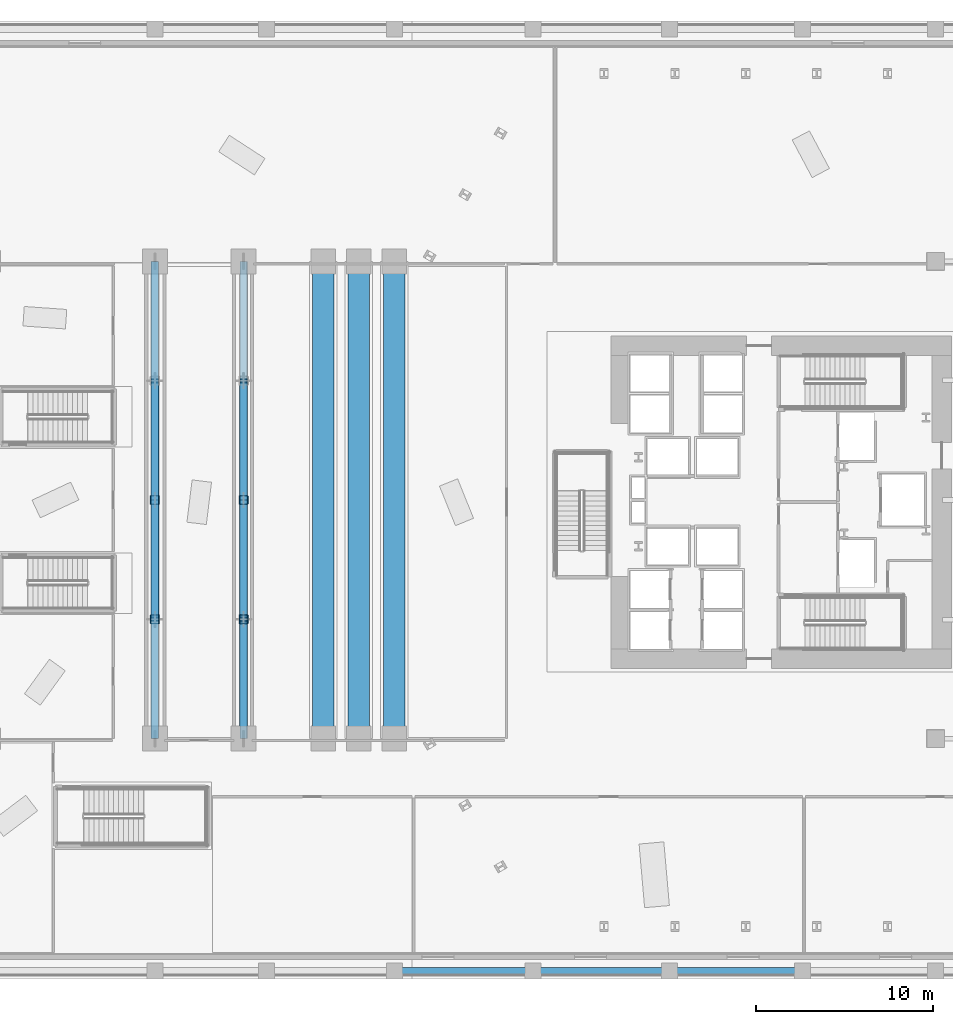
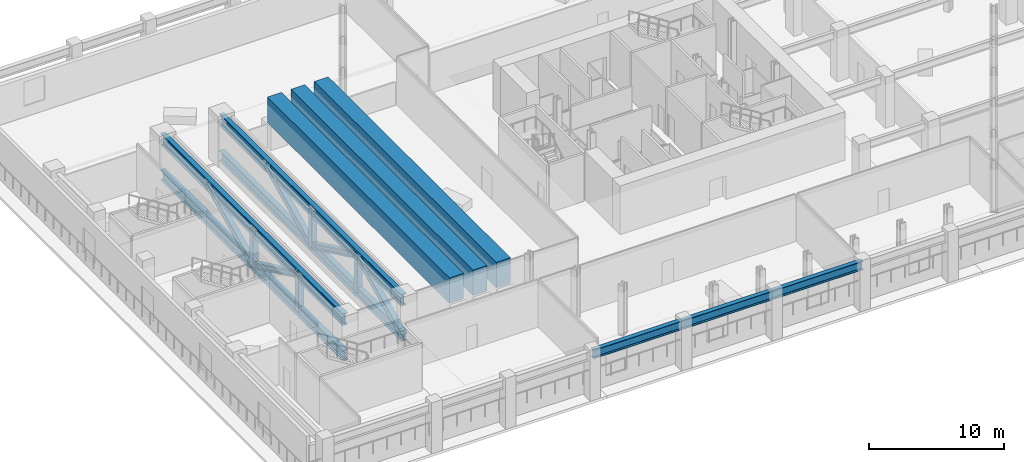
# One storey, part 2 of 24: 9 members, 8 beams.
"""IFC4 building model written with IfcOpenShell, lengths in metres."""

from ifc_helpers import new_model, si_unit, direction, frame, origin, origin_2d, place, context, subcontext, project, spatial, rectangle, hollow_rectangle, i_section, extrude, material, material_profile, profile_set, type_object, element, save


model = new_model("IFC4")

# Units and contexts
model_context = context("Model", 3, precision=1e-05, world=origin(), true_north=direction((0.0, 1.0)))
body_context = subcontext(model_context, "Body", "Model", "MODEL_VIEW")
ifc_project = project(units=[si_unit("LENGTHUNIT", "METRE"), si_unit("AREAUNIT", "SQUARE_METRE"), si_unit("VOLUMEUNIT", "CUBIC_METRE"), si_unit("PLANEANGLEUNIT", "RADIAN"), si_unit("MASSUNIT", "GRAM", prefix="KILO")], contexts=[model_context])

# Site, building, storey
site_placement = place(None, origin())
site = spatial("IfcSite", under=ifc_project, at=site_placement, CompositionType="ELEMENT")
building_placement = place(site_placement, origin())
building = spatial("IfcBuilding", under=site, at=building_placement, Name="Valkerne Bourse Tower", CompositionType="ELEMENT")
storey_placement = place(building_placement, frame((0.0, 0.0, 19.39990234375)))
storey = spatial("IfcBuildingStorey", under=building, at=storey_placement, Name="L04", CompositionType="ELEMENT", Elevation=19.39990234375)

# Beams
ifc_material_1 = material(Name="Concrete C70/85", Category="concrete")
ifc_material_profile_1 = material_profile(ifc_material_1, rectangle(XDim=1.199951171875, YDim=2.300048828125, at=origin_2d()), Name="RC1200X2300")
ifc_profile_set_1 = profile_set([ifc_material_profile_1], Name="Concrete C70/85")
beam_type_1 = type_object("IfcBeamType", Name="BM-RC1200X2300", PredefinedType="BEAM", material=ifc_profile_set_1)
for number, where, z_axis, x_axis, name in (
    (1, (20.991943359375, 13.550048828125, 3.22509765625), (0.0, 1.0, 0.0), (-1.0, 0.0, 0.0), "L04 Exchange Hall Deep Transfer Box Girder 01"),
    (2, (22.990966796875, 13.550048828125, 3.22509765625), (0.0, 1.0, 0.0), (-1.0, 0.0, 0.0), "L04 Exchange Hall Deep Transfer Box Girder 02"),
    (3, (24.988037109375, 13.550048828125, 3.22509765625), (0.0, 1.0, 0.0), (-1.0, 0.0, 0.0), "L04 Exchange Hall Deep Transfer Box Girder 03"),
):
    element("IfcBeam", number, at=place(storey_placement, frame(where, z_axis=z_axis, x_axis=x_axis)), inside=storey, type_object=beam_type_1, Name=name, PredefinedType="BEAM", context=body_context, shape_type="SweptSolid", body=[
        extrude(rectangle(XDim=1.199951171875, YDim=2.300048828125, at=origin_2d()), origin(), (0.0, 0.0, 1.0), 26.89990234375),
    ])
ifc_material_2 = material(Name="Steel ASTM A992", Category="steel")
ifc_material_profile_2 = material_profile(ifc_material_2, i_section(OverallWidth=0.383544921875, OverallDepth=0.784912109375, WebThickness=0.019775390625, FlangeThickness=0.033447265625, FilletRadius=0.025390625, at=origin_2d()), Name="W30X211")
ifc_profile_set_2 = profile_set([ifc_material_profile_2], Name="Steel ASTM A992")
beam_type_2 = type_object("IfcBeamType", Name="BM-W30X211", PredefinedType="SPANDREL", material=ifc_profile_set_2)
beam_placement = place(storey_placement, frame((25.0, 0.449951171875, 3.90771484375), z_axis=(1.0, 0.0, 0.0), x_axis=(0.0, 1.0, 0.0)))
element("IfcBeam", 4, at=beam_placement, inside=storey, type_object=beam_type_2, Name="L04 Podium Spandrel Girder S2", PredefinedType="SPANDREL", context=body_context, shape_type="SweptSolid", body=[
    extrude(i_section(OverallWidth=0.383544921875, OverallDepth=0.784912109375, WebThickness=0.019775390625, FlangeThickness=0.033447265625, FilletRadius=0.025390625, at=origin_2d()), origin(), (0.0, 0.0, 1.0), 23.0),
])
ifc_material_3 = material(Name="Steel ASTM A913 Grade 65", Category="steel")
ifc_material_profile_3 = material_profile(ifc_material_3, i_section(OverallWidth=0.421630859375, OverallDepth=0.93212890625, WebThickness=0.02587890625, FlangeThickness=0.047119140625, FilletRadius=0.02783203125, at=origin_2d()), Name="W36X330")
ifc_profile_set_3 = profile_set([ifc_material_profile_3], Name="Steel ASTM A913 Grade 65")
beam_type_3 = type_object("IfcBeamType", Name="BM-W36X330", PredefinedType="BEAM", material=ifc_profile_set_3)
for number, where, z_axis, x_axis, name in (
    (5, (11.5, 13.550048828125, 0.546142578125), (0.0, 1.0, 0.0), (-1.0, 0.0, 0.0), "L04 Hall Transfer Truss Continuous Bottom Chord X11"),
    (6, (16.5, 13.550048828125, 0.546142578125), (0.0, 1.0, 0.0), (-1.0, 0.0, 0.0), "L04 Hall Transfer Truss Continuous Bottom Chord X16"),
):
    element("IfcBeam", number, at=place(storey_placement, frame(where, z_axis=z_axis, x_axis=x_axis)), inside=storey, type_object=beam_type_3, Name=name, PredefinedType="BEAM", context=body_context, shape_type="SweptSolid", body=[
        extrude(i_section(OverallWidth=0.421630859375, OverallDepth=0.93212890625, WebThickness=0.02587890625, FlangeThickness=0.047119140625, FilletRadius=0.02783203125, at=origin_2d()), origin(), (0.0, 0.0, 1.0), 26.89990234375),
    ])
ifc_material_profile_4 = material_profile(ifc_material_3, i_section(OverallWidth=0.408935546875, OverallDepth=1.06689453125, WebThickness=0.031005859375, FlangeThickness=0.055908203125, FilletRadius=0.030517578125, at=origin_2d()), Name="W40X397")
ifc_profile_set_4 = profile_set([ifc_material_profile_4], Name="Steel ASTM A913 Grade 65")
beam_type_4 = type_object("IfcBeamType", Name="BM-W40X397", PredefinedType="BEAM", material=ifc_profile_set_4)
for number, where, z_axis, x_axis, name in (
    (7, (11.5, 13.550048828125, 3.7666015625), (0.0, 1.0, 0.0), (-1.0, 0.0, 0.0), "L04 Hall Transfer Truss Continuous Top Chord X11"),
    (8, (16.5, 13.550048828125, 3.7666015625), (0.0, 1.0, 0.0), (-1.0, 0.0, 0.0), "L04 Hall Transfer Truss Continuous Top Chord X16"),
):
    element("IfcBeam", number, at=place(storey_placement, frame(where, z_axis=z_axis, x_axis=x_axis)), inside=storey, type_object=beam_type_4, Name=name, PredefinedType="BEAM", context=body_context, shape_type="SweptSolid", body=[
        extrude(i_section(OverallWidth=0.408935546875, OverallDepth=1.06689453125, WebThickness=0.031005859375, FlangeThickness=0.055908203125, FilletRadius=0.030517578125, at=origin_2d()), origin(), (0.0, 0.0, 1.0), 26.89990234375),
    ])

# Members
ifc_material_4 = material(Name="Steel ASTM A500 Grade C", Category="steel")
ifc_material_profile_5 = material_profile(ifc_material_4, hollow_rectangle(XDim=0.5, YDim=0.5, WallThickness=0.02001953125, OuterFilletRadius=0.0400390625, at=origin_2d()), Name="HSS500X500X20")
ifc_profile_set_5 = profile_set([ifc_material_profile_5], Name="Steel ASTM A500 Grade C")
member_type_1 = type_object("IfcMemberType", Name="MBR-HSS500X500X20", PredefinedType="BRACE", material=ifc_profile_set_5)
for number, where, z_axis, x_axis, name in (
    (9, (11.5, 20.280029296875, 0.546142578125), (0.0, 0.0, 1.0), (1.0, 0.0, 0.0), "L04 Hall Transfer Truss Vertical X11-1"),
    (10, (11.5, 27.0, 0.546142578125), (0.0, 0.0, 1.0), (1.0, 0.0, 0.0), "L04 Hall Transfer Truss Vertical X11-2"),
    (11, (16.5, 20.280029296875, 0.546142578125), (0.0, 0.0, 1.0), (1.0, 0.0, 0.0), "L04 Hall Transfer Truss Vertical X16-1"),
    (12, (16.5, 27.0, 0.546142578125), (0.0, 0.0, 1.0), (1.0, 0.0, 0.0), "L04 Hall Transfer Truss Vertical X16-2"),
):
    element("IfcMember", number, at=place(storey_placement, frame(where, z_axis=z_axis, x_axis=x_axis)), inside=storey, type_object=member_type_1, Name=name, PredefinedType="BRACE", context=body_context, shape_type="SweptSolid", body=[
        extrude(hollow_rectangle(XDim=0.5, YDim=0.5, WallThickness=0.02001953125, OuterFilletRadius=0.0400390625, at=origin_2d()), origin(), (0.0, 0.0, 1.0), 3.220458984375),
    ])
ifc_material_profile_6 = material_profile(ifc_material_3, i_section(OverallWidth=0.44189453125, OverallDepth=0.531005859375, WebThickness=0.06591796875, FlangeThickness=0.105712890625, FilletRadius=0.030517578125, at=origin_2d()), Name="W14X605")
ifc_profile_set_6 = profile_set([ifc_material_profile_6], Name="Steel ASTM A913 Grade 65")
member_type_2 = type_object("IfcMemberType", Name="MBR-W14X605", PredefinedType="BRACE", material=ifc_profile_set_6)
for number, where, z_axis, x_axis, name in (
    (13, (11.5, 20.280029296875, 3.7666015625), (0.0, 0.901791290481, -0.432171804277), (-1.0, 0.0, 0.0), "L04 Hall Transfer Truss Diagonal X11-2"),
    (14, (11.5, 27.0, 0.546142578125), (0.0, 0.901791290481, 0.432171804277), (-1.0, 0.0, 0.0), "L04 Hall Transfer Truss Diagonal X11-3"),
):
    element("IfcMember", number, at=place(storey_placement, frame(where, z_axis=z_axis, x_axis=x_axis)), inside=storey, type_object=member_type_2, Name=name, PredefinedType="BRACE", context=body_context, shape_type="SweptSolid", body=[
        extrude(i_section(OverallWidth=0.44189453125, OverallDepth=0.531005859375, WebThickness=0.06591796875, FlangeThickness=0.105712890625, FilletRadius=0.030517578125, at=origin_2d()), origin(), (0.0, 0.0, 1.0), 7.451904296875),
    ])
member_placement = place(storey_placement, frame((16.5, 13.550048828125, 0.546142578125), z_axis=(0.0, 0.902041720731, 0.431648855045), x_axis=(-1.0, 0.0, 0.0)))
element("IfcMember", 15, at=member_placement, inside=storey, type_object=member_type_2, Name="L04 Hall Transfer Truss Diagonal X16-1", PredefinedType="BRACE", context=body_context, shape_type="SweptSolid", body=[
    extrude(i_section(OverallWidth=0.44189453125, OverallDepth=0.531005859375, WebThickness=0.06591796875, FlangeThickness=0.105712890625, FilletRadius=0.030517578125, at=origin_2d()), origin(), (0.0, 0.0, 1.0), 7.4609375),
])
for number, where, z_axis, x_axis, name in (
    (16, (16.5, 20.280029296875, 3.7666015625), (0.0, 0.901791290481, -0.432171804277), (-1.0, 0.0, 0.0), "L04 Hall Transfer Truss Diagonal X16-2"),
    (17, (16.5, 27.0, 0.546142578125), (0.0, 0.901791290481, 0.432171804277), (-1.0, 0.0, 0.0), "L04 Hall Transfer Truss Diagonal X16-3"),
):
    element("IfcMember", number, at=place(storey_placement, frame(where, z_axis=z_axis, x_axis=x_axis)), inside=storey, type_object=member_type_2, Name=name, PredefinedType="BRACE", context=body_context, shape_type="SweptSolid", body=[
        extrude(i_section(OverallWidth=0.44189453125, OverallDepth=0.531005859375, WebThickness=0.06591796875, FlangeThickness=0.105712890625, FilletRadius=0.030517578125, at=origin_2d()), origin(), (0.0, 0.0, 1.0), 7.451904296875),
    ])

save(model, "model.ifc")
